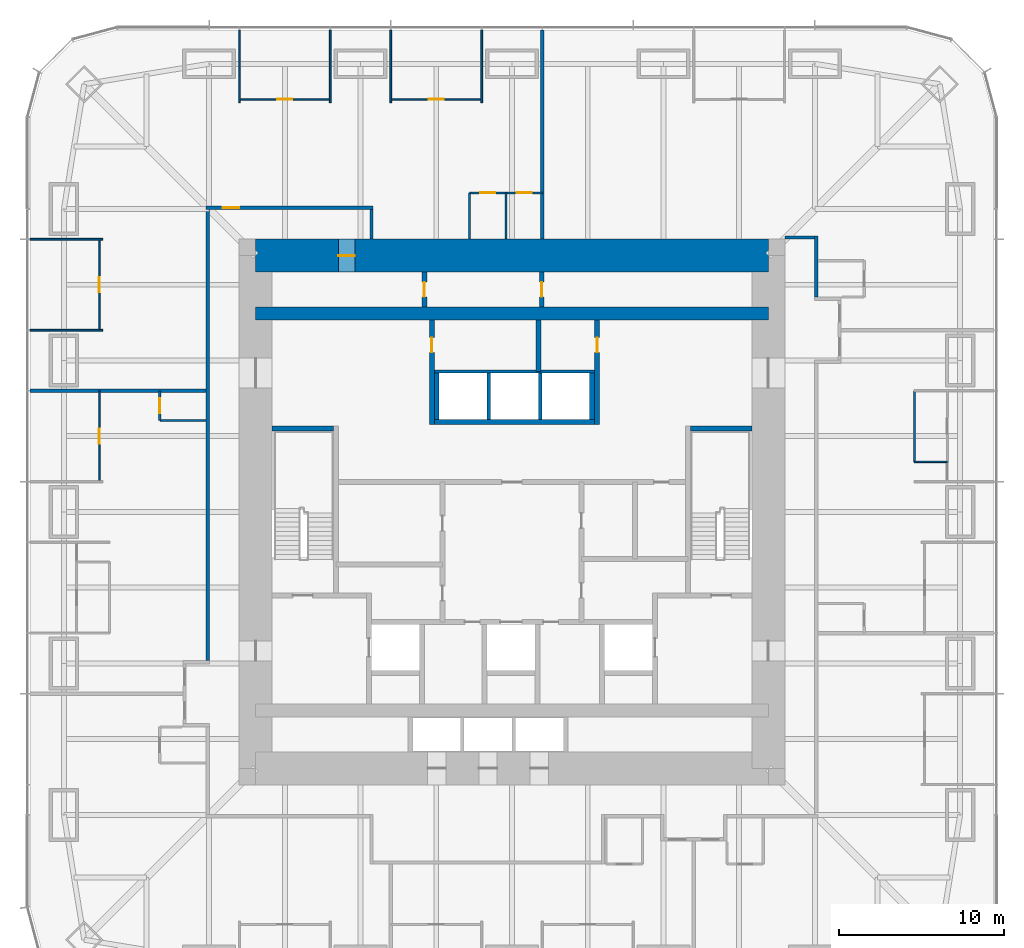
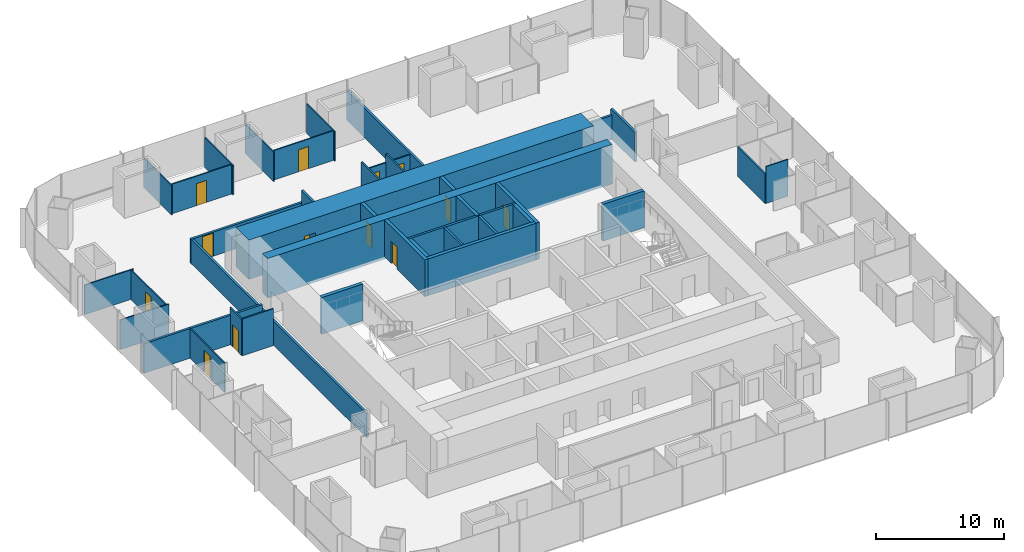
# One storey, part 11 of 13: 39 walls, 13 doors, 13 openings.
"""IFC4 building model written with IfcOpenShell, lengths in metres."""

from ifc_helpers import new_model, si_unit, direction, frame, frame_2d, origin, place, context, subcontext, project, spatial, rectangle, extrude, material, layer, layer_set, type_object, element, fill, save


model = new_model("IFC4")

# Units and contexts
model_context = context("Model", 3, precision=1e-05, world=origin(), true_north=direction((0.0, 1.0)))
body_context = subcontext(model_context, "Body", "Model", "MODEL_VIEW")
ifc_project = project(units=[si_unit("LENGTHUNIT", "METRE"), si_unit("AREAUNIT", "SQUARE_METRE"), si_unit("VOLUMEUNIT", "CUBIC_METRE"), si_unit("PLANEANGLEUNIT", "RADIAN"), si_unit("MASSUNIT", "GRAM", prefix="KILO")], contexts=[model_context])

# Site, building, storey
site_placement = place(None, origin())
site = spatial("IfcSite", under=ifc_project, at=site_placement, CompositionType="ELEMENT")
building_placement = place(site_placement, origin())
building = spatial("IfcBuilding", under=site, at=building_placement, Name="Khuree Lantern Residences", CompositionType="ELEMENT")
storey_placement = place(building_placement, frame((0.0, 0.0, 111.0)))
storey = spatial("IfcBuildingStorey", under=building, at=storey_placement, Name="L27", CompositionType="ELEMENT", Elevation=111.0)

# Wall
ifc_material_1 = material(Name="Moisture-resistant gypsum board on steel studs", Category="steel")
ifc_layer_1 = layer(ifc_material_1, 0.125)
ifc_layer_set_1 = layer_set([ifc_layer_1], Name="BATHROOM WALL BTW125")
wall_type_1 = type_object("IfcWallType", Name="BATHROOM WALL BTW125", PredefinedType="PARTITIONING", material=ifc_layer_set_1)
wall_1_placement = place(storey_placement, frame((24.329833984375, 3.031982421875, 0.0), z_axis=(0.0, 0.0, 1.0), x_axis=(0.0, 1.0, 0.0)))
element("IfcWall", 1, at=wall_1_placement, inside=storey, type_object=wall_type_1, Name="L27 BATHROOM WALL 01", PredefinedType="PARTITIONING", context=body_context, shape_type="SweptSolid", body=[
    extrude(rectangle(XDim=4.2958984375, YDim=0.125, at=frame_2d((2.14794921875, 0.0))), origin(), (0.0, 0.0, 1.0), 2.81005859375),
])

# Wall, openings, doors
wall_2_placement = place(storey_placement, frame((1.83203125, 19.300048828125, 0.0), z_axis=(0.0, 0.0, 1.0), x_axis=(-1.0, 0.0, 0.0)))
wall_2 = element("IfcWall", 2, at=wall_2_placement, inside=storey, type_object=wall_type_1, Name="L27 BATHROOM WALL 03", PredefinedType="PARTITIONING", context=body_context, shape_type="SweptSolid", body=[
    extrude(rectangle(XDim=4.400146484375, YDim=0.125, at=frame_2d((2.2001953125, 0.0))), origin(), (0.0, 0.0, 1.0), 2.699951171875),
])
opening_1_placement = place(wall_2_placement, frame((0.64990234375, 0.0, 0.0)))
opening_1 = element("IfcOpeningElement", 3, at=opening_1_placement, cuts=wall_2, Name="Opening 27-037", PredefinedType="OPENING", context=body_context, shape_type="SweptSolid", body=[
    extrude(rectangle(XDim=0.89990234375, YDim=2.10009765625, at=frame_2d((0.449951171875, 1.050048828125))), frame((0.0, 0.072509765625, 0.0), z_axis=(0.0, -1.0, 0.0), x_axis=(1.0, 0.0, 0.0)), (0.0, 0.0, 1.0), 0.14501953125),
])
opening_2_placement = place(wall_2_placement, frame((2.85009765625, 0.0, 0.0)))
opening_2 = element("IfcOpeningElement", 4, at=opening_2_placement, cuts=wall_2, Name="Opening 27-038", PredefinedType="OPENING", context=body_context, shape_type="SweptSolid", body=[
    extrude(rectangle(XDim=0.89990234375, YDim=2.10009765625, at=frame_2d((0.449951171875, 1.050048828125))), frame((0.0, 0.072509765625, 0.0), z_axis=(0.0, -1.0, 0.0), x_axis=(1.0, 0.0, 0.0)), (0.0, 0.0, 1.0), 0.14501953125),
])
ifc_material_2 = material(Name="Timber door leaf in hardwood frame", Category="wood")
door_type_1 = type_object("IfcDoorType", Name="BATHROOM DOOR 900X2100", OperationType="SINGLE_SWING_LEFT", PredefinedType="DOOR", material=ifc_material_2)
door_1_placement = place(opening_1_placement, origin())
door_1 = element("IfcDoor", 5, at=door_1_placement, inside=storey, type_object=door_type_1, Name="Bathroom door 27-037", OperationType="SINGLE_SWING_LEFT", OverallHeight=2.10009765625, OverallWidth=0.89990234375, PredefinedType="DOOR", context=body_context, shape_type="SweptSolid", body=[
    extrude(rectangle(XDim=0.89990234375, YDim=2.10009765625, at=frame_2d((0.449951171875, 1.050048828125))), frame((0.0, 0.02490234375, 0.0), z_axis=(0.0, -1.0, 0.0), x_axis=(1.0, 0.0, 0.0)), (0.0, 0.0, 1.0), 0.050048828125),
])
fill(opening_1, door_1)
door_2_placement = place(opening_2_placement, origin())
door_2 = element("IfcDoor", 6, at=door_2_placement, inside=storey, type_object=door_type_1, Name="Bathroom door 27-038", OperationType="SINGLE_SWING_LEFT", OverallHeight=2.10009765625, OverallWidth=0.89990234375, PredefinedType="DOOR", context=body_context, shape_type="SweptSolid", body=[
    extrude(rectangle(XDim=0.89990234375, YDim=2.10009765625, at=frame_2d((0.449951171875, 1.050048828125))), frame((0.0, 0.02490234375, 0.0), z_axis=(0.0, -1.0, 0.0), x_axis=(1.0, 0.0, 0.0)), (0.0, 0.0, 1.0), 0.050048828125),
])
fill(opening_2, door_2)

# Walls
for number, where, z_axis, x_axis, name in (
    (7, (-0.367919921875, 16.5, 0.0), (0.0, 0.0, 1.0), (0.0, 1.0, 0.0), "L27 BATHROOM WALL 03"),
    (8, (-2.568115234375, 16.5, 0.0), (0.0, 0.0, 1.0), (0.0, 1.0, 0.0), "L27 BATHROOM WALL 03"),
):
    element("IfcWall", number, at=place(storey_placement, frame(where, z_axis=z_axis, x_axis=x_axis)), inside=storey, type_object=wall_type_1, Name=name, PredefinedType="PARTITIONING", context=body_context, shape_type="SweptSolid", body=[
        extrude(rectangle(XDim=2.800048828125, YDim=0.125, at=frame_2d((1.39990234375, 0.0))), origin(), (0.0, 0.0, 1.0), 3.5),
    ])

# Wall, opening, door
wall_3_placement = place(storey_placement, frame((-21.300048828125, 7.327880859375, 0.0), z_axis=(0.0, 0.0, 1.0), x_axis=(0.0, -1.0, 0.0)))
wall_3 = element("IfcWall", 9, at=wall_3_placement, inside=storey, type_object=wall_type_1, Name="L27 BATHROOM WALL 04", PredefinedType="PARTITIONING", context=body_context, shape_type="SweptSolid", body=[
    extrude(rectangle(XDim=1.7998046875, YDim=0.125, at=frame_2d((0.89990234375, 0.0))), origin(), (0.0, 0.0, 1.0), 3.5),
])
opening_3_placement = place(wall_3_placement, frame((0.449951171875, 0.0, 0.0)))
opening_3 = element("IfcOpeningElement", 10, at=opening_3_placement, cuts=wall_3, Name="Opening 27-043", PredefinedType="OPENING", context=body_context, shape_type="SweptSolid", body=[
    extrude(rectangle(XDim=0.89990234375, YDim=2.10009765625, at=frame_2d((0.449951171875, 1.050048828125))), frame((0.0, 0.072509765625, 0.0), z_axis=(0.0, -1.0, 0.0), x_axis=(1.0, 0.0, 0.0)), (0.0, 0.0, 1.0), 0.14501953125),
])
door_3_placement = place(opening_3_placement, origin())
door_3 = element("IfcDoor", 11, at=door_3_placement, inside=storey, type_object=door_type_1, Name="Bathroom door 27-043", OperationType="SINGLE_SWING_LEFT", OverallHeight=2.10009765625, OverallWidth=0.89990234375, PredefinedType="DOOR", context=body_context, shape_type="SweptSolid", body=[
    extrude(rectangle(XDim=0.89990234375, YDim=2.10009765625, at=frame_2d((0.449951171875, 1.050048828125))), frame((0.0, 0.02490234375, 0.0), z_axis=(0.0, -1.0, 0.0), x_axis=(1.0, 0.0, 0.0)), (0.0, 0.0, 1.0), 0.050048828125),
])
fill(opening_3, door_3)

# Walls
wall_4_placement = place(storey_placement, frame((-18.5, 5.528076171875, 0.0), z_axis=(0.0, 0.0, 1.0), x_axis=(-1.0, 0.0, 0.0)))
element("IfcWall", 12, at=wall_4_placement, inside=storey, type_object=wall_type_1, Name="L27 BATHROOM WALL 04", PredefinedType="PARTITIONING", context=body_context, shape_type="SweptSolid", body=[
    extrude(rectangle(XDim=2.800048828125, YDim=0.125, at=frame_2d((1.39990234375, 0.0))), origin(), (0.0, 0.0, 1.0), 3.5),
])
ifc_material_3 = material(Name="Dense concrete blockwork", Category="masonry")
ifc_layer_2 = layer(ifc_material_3, 0.300048828125)
ifc_layer_set_2 = layer_set([ifc_layer_2], Name="CORE PARTITION WALL CPW300 EI 120")
wall_type_2 = type_object("IfcWallType", Name="CORE PARTITION WALL CPW300 EI 120", PredefinedType="PARTITIONING", material=ifc_layer_set_2)
wall_5_placement = place(storey_placement, frame((-4.699951171875, 5.449951171875, 0.0), z_axis=(0.0, 0.0, 1.0), x_axis=(1.0, 0.0, 0.0)))
element("IfcWall", 13, at=wall_5_placement, inside=storey, type_object=wall_type_2, Name="L27 CORE WALL PHS", PredefinedType="PARTITIONING", context=body_context, shape_type="SweptSolid", body=[
    extrude(rectangle(XDim=9.699951171875, YDim=0.300048828125, at=frame_2d((4.85009765625, 0.0))), origin(), (0.0, 0.0, 1.0), 3.5),
])
for number, where, z_axis, x_axis, name in (
    (14, (-4.550048828125, 5.60009765625, 0.0), (0.0, 0.0, 1.0), (0.0, 1.0, 0.0), "L27 CORE WALL PHW"),
    (15, (4.85009765625, 5.60009765625, 0.0), (0.0, 0.0, 1.0), (0.0, 1.0, 0.0), "L27 CORE WALL PHE"),
):
    element("IfcWall", number, at=place(storey_placement, frame(where, z_axis=z_axis, x_axis=x_axis)), inside=storey, type_object=wall_type_2, Name=name, PredefinedType="PARTITIONING", context=body_context, shape_type="SweptSolid", body=[
        extrude(rectangle(XDim=2.7998046875, YDim=0.300048828125, at=frame_2d((1.39990234375, 0.0))), origin(), (0.0, 0.0, 1.0), 3.5),
    ])

# Wall, opening, door
wall_6_placement = place(storey_placement, frame((-4.85009765625, 5.300048828125, 0.0), z_axis=(0.0, 0.0, 1.0), x_axis=(0.0, 1.0, 0.0)))
wall_6 = element("IfcWall", 16, at=wall_6_placement, inside=storey, type_object=wall_type_2, Name="L27 CORE WALL NW", PredefinedType="PARTITIONING", context=body_context, shape_type="SweptSolid", body=[
    extrude(rectangle(XDim=6.300048828125, YDim=0.300048828125, at=frame_2d((3.14990234375, 0.0))), origin(), (0.0, 0.0, 1.0), 3.5),
])
opening_4_placement = place(wall_6_placement, frame((4.35009765625, 0.0, 0.0)))
opening_4 = element("IfcOpeningElement", 17, at=opening_4_placement, cuts=wall_6, Name="Opening 27-021", PredefinedType="OPENING", context=body_context, shape_type="SweptSolid", body=[
    extrude(rectangle(XDim=0.89990234375, YDim=2.10009765625, at=frame_2d((0.449951171875, 1.050048828125))), frame((0.0, 0.16015625, 0.0), z_axis=(0.0, -1.0, 0.0), x_axis=(1.0, 0.0, 0.0)), (0.0, 0.0, 1.0), 0.320068359375),
])
door_type_2 = type_object("IfcDoorType", Name="DOOR 900X2100 RIGHT HAND", OperationType="SINGLE_SWING_RIGHT", PredefinedType="DOOR", material=ifc_material_2)
door_4_placement = place(opening_4_placement, origin())
door_4 = element("IfcDoor", 18, at=door_4_placement, inside=storey, type_object=door_type_2, Name="Parcel room door 27-021", OperationType="SINGLE_SWING_RIGHT", OverallHeight=2.10009765625, OverallWidth=0.89990234375, PredefinedType="DOOR", context=body_context, shape_type="SweptSolid", body=[
    extrude(rectangle(XDim=0.89990234375, YDim=2.10009765625, at=frame_2d((0.449951171875, 1.050048828125))), frame((0.0, 0.02490234375, 0.0), z_axis=(0.0, -1.0, 0.0), x_axis=(1.0, 0.0, 0.0)), (0.0, 0.0, 1.0), 0.050048828125),
])
fill(opening_4, door_4)

wall_7_placement = place(storey_placement, frame((5.14990234375, 5.300048828125, 0.0), z_axis=(0.0, 0.0, 1.0), x_axis=(0.0, 1.0, 0.0)))
wall_7 = element("IfcWall", 19, at=wall_7_placement, inside=storey, type_object=wall_type_2, Name="L27 CORE WALL NE", PredefinedType="PARTITIONING", context=body_context, shape_type="SweptSolid", body=[
    extrude(rectangle(XDim=6.300048828125, YDim=0.300048828125, at=frame_2d((3.14990234375, 0.0))), origin(), (0.0, 0.0, 1.0), 3.5),
])
opening_5_placement = place(wall_7_placement, frame((4.35009765625, 0.0, 0.0)))
opening_5 = element("IfcOpeningElement", 20, at=opening_5_placement, cuts=wall_7, Name="Opening 27-022", PredefinedType="OPENING", context=body_context, shape_type="SweptSolid", body=[
    extrude(rectangle(XDim=0.89990234375, YDim=2.10009765625, at=frame_2d((0.449951171875, 1.050048828125))), frame((0.0, 0.16015625, 0.0), z_axis=(0.0, -1.0, 0.0), x_axis=(1.0, 0.0, 0.0)), (0.0, 0.0, 1.0), 0.320068359375),
])
door_type_3 = type_object("IfcDoorType", Name="DOOR 900X2100", OperationType="SINGLE_SWING_LEFT", PredefinedType="DOOR", material=ifc_material_2)
door_5_placement = place(opening_5_placement, origin())
door_5 = element("IfcDoor", 21, at=door_5_placement, inside=storey, type_object=door_type_3, Name="IT room door 27-022", OperationType="SINGLE_SWING_LEFT", OverallHeight=2.10009765625, OverallWidth=0.89990234375, PredefinedType="DOOR", context=body_context, shape_type="SweptSolid", body=[
    extrude(rectangle(XDim=0.89990234375, YDim=2.10009765625, at=frame_2d((0.449951171875, 1.050048828125))), frame((0.0, 0.02490234375, 0.0), z_axis=(0.0, -1.0, 0.0), x_axis=(1.0, 0.0, 0.0)), (0.0, 0.0, 1.0), 0.050048828125),
])
fill(opening_5, door_5)

# Wall
wall_8_placement = place(storey_placement, frame((1.60009765625, 8.5, 0.0), z_axis=(0.0, 0.0, 1.0), x_axis=(0.0, 1.0, 0.0)))
element("IfcWall", 22, at=wall_8_placement, inside=storey, type_object=wall_type_2, Name="L27 CORE WALL NX", PredefinedType="PARTITIONING", context=body_context, shape_type="SweptSolid", body=[
    extrude(rectangle(XDim=3.10009765625, YDim=0.300048828125, at=frame_2d((1.550048828125, 0.0))), origin(), (0.0, 0.0, 1.0), 3.5),
])

# Wall, opening, door
wall_9_placement = place(storey_placement, frame((-5.300048828125, 12.39990234375, 0.0), z_axis=(0.0, 0.0, 1.0), x_axis=(0.0, 1.0, 0.0)))
wall_9 = element("IfcWall", 23, at=wall_9_placement, inside=storey, type_object=wall_type_2, Name="L27 CORE WALL PLX", PredefinedType="PARTITIONING", context=body_context, shape_type="SweptSolid", body=[
    extrude(rectangle(XDim=2.10009765625, YDim=0.300048828125, at=frame_2d((1.050048828125, 0.0))), origin(), (0.0, 0.0, 1.0), 3.5),
])
opening_6_placement = place(wall_9_placement, frame((0.60009765625, 0.0, 0.0)))
opening_6 = element("IfcOpeningElement", 24, at=opening_6_placement, cuts=wall_9, Name="Opening 27-023", PredefinedType="OPENING", context=body_context, shape_type="SweptSolid", body=[
    extrude(rectangle(XDim=0.89990234375, YDim=2.10009765625, at=frame_2d((0.449951171875, 1.050048828125))), frame((0.0, 0.16015625, 0.0), z_axis=(0.0, -1.0, 0.0), x_axis=(1.0, 0.0, 0.0)), (0.0, 0.0, 1.0), 0.320068359375),
])
door_6_placement = place(opening_6_placement, origin())
door_6 = element("IfcDoor", 25, at=door_6_placement, inside=storey, type_object=door_type_3, Name="Store door 27-023", OperationType="SINGLE_SWING_LEFT", OverallHeight=2.10009765625, OverallWidth=0.89990234375, PredefinedType="DOOR", context=body_context, shape_type="SweptSolid", body=[
    extrude(rectangle(XDim=0.89990234375, YDim=2.10009765625, at=frame_2d((0.449951171875, 1.050048828125))), frame((0.0, 0.02490234375, 0.0), z_axis=(0.0, -1.0, 0.0), x_axis=(1.0, 0.0, 0.0)), (0.0, 0.0, 1.0), 0.050048828125),
])
fill(opening_6, door_6)

wall_10_placement = place(storey_placement, frame((1.800048828125, 12.39990234375, 0.0), z_axis=(0.0, 0.0, 1.0), x_axis=(0.0, 1.0, 0.0)))
wall_10 = element("IfcWall", 26, at=wall_10_placement, inside=storey, type_object=wall_type_2, Name="L27 CORE WALL PLY", PredefinedType="PARTITIONING", context=body_context, shape_type="SweptSolid", body=[
    extrude(rectangle(XDim=2.10009765625, YDim=0.300048828125, at=frame_2d((1.050048828125, 0.0))), origin(), (0.0, 0.0, 1.0), 3.5),
])
opening_7_placement = place(wall_10_placement, frame((0.60009765625, 0.0, 0.0)))
opening_7 = element("IfcOpeningElement", 27, at=opening_7_placement, cuts=wall_10, Name="Opening 27-024", PredefinedType="OPENING", context=body_context, shape_type="SweptSolid", body=[
    extrude(rectangle(XDim=0.89990234375, YDim=2.10009765625, at=frame_2d((0.449951171875, 1.050048828125))), frame((0.0, 0.16015625, 0.0), z_axis=(0.0, -1.0, 0.0), x_axis=(1.0, 0.0, 0.0)), (0.0, 0.0, 1.0), 0.320068359375),
])
door_7_placement = place(opening_7_placement, origin())
door_7 = element("IfcDoor", 28, at=door_7_placement, inside=storey, type_object=door_type_3, Name="Maintenance store door 27-024", OperationType="SINGLE_SWING_LEFT", OverallHeight=2.10009765625, OverallWidth=0.89990234375, PredefinedType="DOOR", context=body_context, shape_type="SweptSolid", body=[
    extrude(rectangle(XDim=0.89990234375, YDim=2.10009765625, at=frame_2d((0.449951171875, 1.050048828125))), frame((0.0, 0.02490234375, 0.0), z_axis=(0.0, -1.0, 0.0), x_axis=(1.0, 0.0, 0.0)), (0.0, 0.0, 1.0), 0.050048828125),
])
fill(opening_7, door_7)

# Wall
ifc_material_4 = material(Name="Gypsum board on steel studs", Category="steel")
ifc_layer_3 = layer(ifc_material_4, 0.199951171875)
ifc_layer_set_3 = layer_set([ifc_layer_3], Name="CORRIDOR WALL CRW200 EI 60")
wall_type_3 = type_object("IfcWallType", Name="CORRIDOR WALL CRW200 EI 60", PredefinedType="PARTITIONING", material=ifc_layer_set_3)
wall_11_placement = place(storey_placement, frame((16.5, 16.60009765625, 0.0), z_axis=(0.0, 0.0, 1.0), x_axis=(1.0, 0.0, 0.0)))
element("IfcWall", 29, at=wall_11_placement, inside=storey, type_object=wall_type_3, Name="L27 EAST CORRIDOR NORTH END WALL", PredefinedType="PARTITIONING", context=body_context, shape_type="SweptSolid", body=[
    extrude(rectangle(XDim=1.800048828125, YDim=0.199951171875, at=frame_2d((0.89990234375, 0.0))), origin(), (0.0, 0.0, 1.0), 2.300048828125),
])

# Wall, opening, door
wall_12_placement = place(storey_placement, frame((-18.5, 18.39990234375, 0.0), z_axis=(0.0, 0.0, 1.0), x_axis=(1.0, 0.0, 0.0)))
wall_12 = element("IfcWall", 30, at=wall_12_placement, inside=storey, type_object=wall_type_3, Name="L27 CORRIDOR WALL NORTH", PredefinedType="PARTITIONING", context=body_context, shape_type="SweptSolid", body=[
    extrude(rectangle(XDim=10.10009765625, YDim=0.199951171875, at=frame_2d((5.050048828125, 0.0))), origin(), (0.0, 0.0, 1.0), 2.300048828125),
])
opening_8_placement = place(wall_12_placement, frame((1.0, 0.0, 0.0)))
opening_8 = element("IfcOpeningElement", 31, at=opening_8_placement, cuts=wall_12, Name="Opening 27-039", PredefinedType="OPENING", context=body_context, shape_type="SweptSolid", body=[
    extrude(rectangle(XDim=1.0, YDim=2.199951171875, at=frame_2d((0.5, 1.10009765625))), frame((0.0, 0.10986328125, 0.0), z_axis=(0.0, -1.0, 0.0), x_axis=(1.0, 0.0, 0.0)), (0.0, 0.0, 1.0), 0.219970703125),
])
door_type_4 = type_object("IfcDoorType", Name="APARTMENT ENTRANCE DOOR 1000X2200 EI 30S", OperationType="SINGLE_SWING_LEFT", PredefinedType="DOOR", material=ifc_material_2)
door_8_placement = place(opening_8_placement, origin())
door_8 = element("IfcDoor", 32, at=door_8_placement, inside=storey, type_object=door_type_4, Name="Apartment 03 entrance door 27-039", OperationType="SINGLE_SWING_LEFT", OverallHeight=2.199951171875, OverallWidth=1.0, PredefinedType="DOOR", context=body_context, shape_type="SweptSolid", body=[
    extrude(rectangle(XDim=1.0, YDim=2.199951171875, at=frame_2d((0.5, 1.10009765625))), frame((0.0, 0.02490234375, 0.0), z_axis=(0.0, -1.0, 0.0), x_axis=(1.0, 0.0, 0.0)), (0.0, 0.0, 1.0), 0.050048828125),
])
fill(opening_8, door_8)

# Walls
wall_13_placement = place(storey_placement, frame((-8.5, 18.300048828125, 0.0), z_axis=(0.0, 0.0, 1.0), x_axis=(0.0, -1.0, 0.0)))
element("IfcWall", 33, at=wall_13_placement, inside=storey, type_object=wall_type_3, Name="L27 NORTH CORRIDOR END WALL", PredefinedType="PARTITIONING", context=body_context, shape_type="SweptSolid", body=[
    extrude(rectangle(XDim=1.800048828125, YDim=0.199951171875, at=frame_2d((0.89990234375, 0.0))), origin(), (0.0, 0.0, 1.0), 3.5),
])
wall_14_placement = place(storey_placement, frame((18.39990234375, 12.991943359375, 0.0), z_axis=(0.0, 0.0, 1.0), x_axis=(0.0, 1.0, 0.0)))
element("IfcWall", 34, at=wall_14_placement, inside=storey, type_object=wall_type_3, Name="L27 CORRIDOR WALL EAST 2", PredefinedType="PARTITIONING", context=body_context, shape_type="SweptSolid", body=[
    extrude(rectangle(XDim=3.7080078125, YDim=0.199951171875, at=frame_2d((1.85400390625, 0.0))), origin(), (0.0, 0.0, 1.0), 2.81005859375),
])
wall_15_placement = place(storey_placement, frame((-18.39990234375, 18.300048828125, 0.0), z_axis=(0.0, 0.0, 1.0), x_axis=(0.0, -1.0, 0.0)))
element("IfcWall", 35, at=wall_15_placement, inside=storey, type_object=wall_type_3, Name="L27 CORRIDOR WALL WEST 1", PredefinedType="PARTITIONING", context=body_context, shape_type="SweptSolid", body=[
    extrude(rectangle(XDim=27.2919921875, YDim=0.199951171875, at=frame_2d((13.64599609375, 0.0))), origin(), (0.0, 0.0, 1.0), 2.300048828125),
])

# Wall, opening, door
ifc_material_5 = material(Name="Concrete C70/85", Category="concrete")
ifc_layer_4 = layer(ifc_material_5, 2.0)
ifc_layer_set_4 = layer_set([ifc_layer_4], Name="CW2000-C70 CORE WALL C70 2000")
wall_type_4 = type_object("IfcWallType", Name="CW2000-C70 CORE WALL C70 2000", PredefinedType="SHEAR", material=ifc_layer_set_4)
wall_16_placement = place(storey_placement, frame((-15.5, 15.5, -0.25), z_axis=(0.0, 0.0, 1.0), x_axis=(1.0, 0.0, 0.0)))
wall_16 = element("IfcWall", 36, at=wall_16_placement, inside=storey, type_object=wall_type_4, Name="Core wall N", PredefinedType="SHEAR", context=body_context, shape_type="SweptSolid", body=[
    extrude(rectangle(XDim=31.0, YDim=2.0, at=frame_2d((15.5, 0.0))), origin(), (0.0, 0.0, 1.0), 3.75),
])
opening_9_placement = place(wall_16_placement, frame((5.0, 0.0, 0.25)))
opening_9 = element("IfcOpeningElement", 37, at=opening_9_placement, cuts=wall_16, Name="Opening 27-025", PredefinedType="OPENING", context=body_context, shape_type="SweptSolid", body=[
    extrude(rectangle(XDim=1.0, YDim=2.10009765625, at=frame_2d((0.5, 1.050048828125))), frame((0.0, 1.010009765625, 0.0), z_axis=(0.0, -1.0, 0.0), x_axis=(1.0, 0.0, 0.0)), (0.0, 0.0, 1.0), 2.02001953125),
])
ifc_material_6 = material(Name="Steel door leaf in steel frame", Category="steel")
door_type_5 = type_object("IfcDoorType", Name="DOOR 1000X2100 EI 60 RIGHT HAND", OperationType="SINGLE_SWING_RIGHT", PredefinedType="DOOR", material=ifc_material_6)
door_9_placement = place(opening_9_placement, origin())
door_9 = element("IfcDoor", 38, at=door_9_placement, inside=storey, type_object=door_type_5, Name="Residents' store door 27-025", OperationType="SINGLE_SWING_RIGHT", OverallHeight=2.10009765625, OverallWidth=1.0, PredefinedType="DOOR", context=body_context, shape_type="SweptSolid", body=[
    extrude(rectangle(XDim=1.0, YDim=2.10009765625, at=frame_2d((0.5, 1.050048828125))), frame((0.0, 0.02490234375, 0.0), z_axis=(0.0, -1.0, 0.0), x_axis=(1.0, 0.0, 0.0)), (0.0, 0.0, 1.0), 0.050048828125),
])
fill(opening_9, door_9)

# Walls
ifc_layer_5 = layer(ifc_material_4, 0.199951171875)
ifc_layer_set_5 = layer_set([ifc_layer_5], Name="DEMISING WALL DMW200 EI 90")
wall_type_5 = type_object("IfcWallType", Name="DEMISING WALL DMW200 EI 90", PredefinedType="PARTITIONING", material=ifc_layer_set_5)
wall_17_placement = place(storey_placement, frame((1.83203125, 16.5, 0.0), z_axis=(0.0, 0.0, 1.0), x_axis=(0.0, 1.0, 0.0)))
element("IfcWall", 39, at=wall_17_placement, inside=storey, type_object=wall_type_5, Name="L27 DEMISING WALL 03", PredefinedType="PARTITIONING", context=body_context, shape_type="SweptSolid", body=[
    extrude(rectangle(XDim=12.64990234375, YDim=0.199951171875, at=frame_2d((6.324951171875, 0.0))), origin(), (0.0, 0.0, 1.0), 2.81005859375),
])
wall_18_placement = place(storey_placement, frame((-18.5, 7.327880859375, 0.0), z_axis=(0.0, 0.0, 1.0), x_axis=(-1.0, 0.0, 0.0)))
element("IfcWall", 40, at=wall_18_placement, inside=storey, type_object=wall_type_5, Name="L27 DEMISING WALL 04", PredefinedType="PARTITIONING", context=body_context, shape_type="SweptSolid", body=[
    extrude(rectangle(XDim=10.64990234375, YDim=0.199951171875, at=frame_2d((5.324951171875, 0.0))), origin(), (0.0, 0.0, 1.0), 2.81005859375),
])
ifc_layer_6 = layer(ifc_material_4, 0.10009765625)
ifc_layer_set_6 = layer_set([ifc_layer_6], Name="PARTITION PT100")
wall_type_6 = type_object("IfcWallType", Name="PARTITION PT100", PredefinedType="PARTITIONING", material=ifc_layer_set_6)
for number, where, z_axis, x_axis, name in (
    (41, (-1.83203125, 24.75, 0.0), (0.0, 0.0, 1.0), (0.0, 1.0, 0.0), "L27 PARTITION 03"),
    (42, (-7.327880859375, 24.75, 0.0), (0.0, 0.0, 1.0), (0.0, 1.0, 0.0), "L27 PARTITION 03"),
    (43, (-10.991943359375, 24.75, 0.0), (0.0, 0.0, 1.0), (0.0, 1.0, 0.0), "L27 PARTITION 03"),
    (44, (-16.488037109375, 24.75, 0.0), (0.0, 0.0, 1.0), (0.0, 1.0, 0.0), "L27 PARTITION 03"),
    (45, (-24.75, 16.488037109375, 0.0), (0.0, 0.0, 1.0), (-1.0, 0.0, 0.0), "L27 PARTITION 03"),
    (46, (-24.75, 10.991943359375, 0.0), (0.0, 0.0, 1.0), (-1.0, 0.0, 0.0), "L27 PARTITION 03"),
):
    element("IfcWall", number, at=place(storey_placement, frame(where, z_axis=z_axis, x_axis=x_axis)), inside=storey, type_object=wall_type_6, Name=name, PredefinedType="PARTITIONING", context=body_context, shape_type="SweptSolid", body=[
        extrude(rectangle(XDim=4.39990234375, YDim=0.10009765625, at=frame_2d((2.199951171875, 0.0))), origin(), (0.0, 0.0, 1.0), 2.81005859375),
    ])
wall_19_placement = place(storey_placement, frame((24.329833984375, 3.031982421875, 0.0), z_axis=(0.0, 0.0, 1.0), x_axis=(1.0, 0.0, 0.0)))
element("IfcWall", 47, at=wall_19_placement, inside=storey, type_object=wall_type_6, Name="L27 PARTITION 01", PredefinedType="PARTITIONING", context=body_context, shape_type="SweptSolid", body=[
    extrude(rectangle(XDim=2.0, YDim=0.10009765625, at=frame_2d((1.0, 0.0))), origin(), (0.0, 0.0, 1.0), 3.5),
])

# Wall, opening, door
wall_20_placement = place(storey_placement, frame((-1.83203125, 24.949951171875, 0.0), z_axis=(0.0, 0.0, 1.0), x_axis=(-1.0, 0.0, 0.0)))
wall_20 = element("IfcWall", 48, at=wall_20_placement, inside=storey, type_object=wall_type_6, Name="L27 PARTITION 03", PredefinedType="PARTITIONING", context=body_context, shape_type="SweptSolid", body=[
    extrude(rectangle(XDim=5.495849609375, YDim=0.10009765625, at=frame_2d((2.748046875, 0.0))), origin(), (0.0, 0.0, 1.0), 2.81005859375),
])
opening_10_placement = place(wall_20_placement, frame((2.298095703125, 0.0, 0.0)))
opening_10 = element("IfcOpeningElement", 49, at=opening_10_placement, cuts=wall_20, Name="Opening 27-034", PredefinedType="OPENING", context=body_context, shape_type="SweptSolid", body=[
    extrude(rectangle(XDim=0.89990234375, YDim=2.10009765625, at=frame_2d((0.449951171875, 1.050048828125))), frame((0.0, 0.06005859375, 0.0), z_axis=(0.0, -1.0, 0.0), x_axis=(1.0, 0.0, 0.0)), (0.0, 0.0, 1.0), 0.1201171875),
])
door_type_6 = type_object("IfcDoorType", Name="BEDROOM DOOR 900X2100", OperationType="SINGLE_SWING_LEFT", PredefinedType="DOOR", material=ifc_material_2)
door_10_placement = place(opening_10_placement, origin())
door_10 = element("IfcDoor", 50, at=door_10_placement, inside=storey, type_object=door_type_6, Name="Bedroom door 27-034", OperationType="SINGLE_SWING_LEFT", OverallHeight=2.10009765625, OverallWidth=0.89990234375, PredefinedType="DOOR", context=body_context, shape_type="SweptSolid", body=[
    extrude(rectangle(XDim=0.89990234375, YDim=2.10009765625, at=frame_2d((0.449951171875, 1.050048828125))), frame((0.0, 0.02490234375, 0.0), z_axis=(0.0, -1.0, 0.0), x_axis=(1.0, 0.0, 0.0)), (0.0, 0.0, 1.0), 0.050048828125),
])
fill(opening_10, door_10)

wall_21_placement = place(storey_placement, frame((-10.991943359375, 24.949951171875, 0.0), z_axis=(0.0, 0.0, 1.0), x_axis=(-1.0, 0.0, 0.0)))
wall_21 = element("IfcWall", 51, at=wall_21_placement, inside=storey, type_object=wall_type_6, Name="L27 PARTITION 03", PredefinedType="PARTITIONING", context=body_context, shape_type="SweptSolid", body=[
    extrude(rectangle(XDim=5.49609375, YDim=0.10009765625, at=frame_2d((2.748046875, 0.0))), origin(), (0.0, 0.0, 1.0), 2.81005859375),
])
opening_11_placement = place(wall_21_placement, frame((2.298095703125, 0.0, 0.0)))
opening_11 = element("IfcOpeningElement", 52, at=opening_11_placement, cuts=wall_21, Name="Opening 27-035", PredefinedType="OPENING", context=body_context, shape_type="SweptSolid", body=[
    extrude(rectangle(XDim=0.89990234375, YDim=2.10009765625, at=frame_2d((0.449951171875, 1.050048828125))), frame((0.0, 0.06005859375, 0.0), z_axis=(0.0, -1.0, 0.0), x_axis=(1.0, 0.0, 0.0)), (0.0, 0.0, 1.0), 0.1201171875),
])
door_11_placement = place(opening_11_placement, origin())
door_11 = element("IfcDoor", 53, at=door_11_placement, inside=storey, type_object=door_type_6, Name="Bedroom door 27-035", OperationType="SINGLE_SWING_LEFT", OverallHeight=2.10009765625, OverallWidth=0.89990234375, PredefinedType="DOOR", context=body_context, shape_type="SweptSolid", body=[
    extrude(rectangle(XDim=0.89990234375, YDim=2.10009765625, at=frame_2d((0.449951171875, 1.050048828125))), frame((0.0, 0.02490234375, 0.0), z_axis=(0.0, -1.0, 0.0), x_axis=(1.0, 0.0, 0.0)), (0.0, 0.0, 1.0), 0.050048828125),
])
fill(opening_11, door_11)

wall_22_placement = place(storey_placement, frame((-24.949951171875, 16.488037109375, 0.0), z_axis=(0.0, 0.0, 1.0), x_axis=(0.0, -1.0, 0.0)))
wall_22 = element("IfcWall", 54, at=wall_22_placement, inside=storey, type_object=wall_type_6, Name="L27 PARTITION 03", PredefinedType="PARTITIONING", context=body_context, shape_type="SweptSolid", body=[
    extrude(rectangle(XDim=5.49609375, YDim=0.10009765625, at=frame_2d((2.748046875, 0.0))), origin(), (0.0, 0.0, 1.0), 2.81005859375),
])
opening_12_placement = place(wall_22_placement, frame((2.298095703125, 0.0, 0.0)))
opening_12 = element("IfcOpeningElement", 55, at=opening_12_placement, cuts=wall_22, Name="Opening 27-036", PredefinedType="OPENING", context=body_context, shape_type="SweptSolid", body=[
    extrude(rectangle(XDim=0.89990234375, YDim=2.10009765625, at=frame_2d((0.449951171875, 1.050048828125))), frame((0.0, 0.06005859375, 0.0), z_axis=(0.0, -1.0, 0.0), x_axis=(1.0, 0.0, 0.0)), (0.0, 0.0, 1.0), 0.1201171875),
])
door_12_placement = place(opening_12_placement, origin())
door_12 = element("IfcDoor", 56, at=door_12_placement, inside=storey, type_object=door_type_6, Name="Bedroom door 27-036", OperationType="SINGLE_SWING_LEFT", OverallHeight=2.10009765625, OverallWidth=0.89990234375, PredefinedType="DOOR", context=body_context, shape_type="SweptSolid", body=[
    extrude(rectangle(XDim=0.89990234375, YDim=2.10009765625, at=frame_2d((0.449951171875, 1.050048828125))), frame((0.0, 0.02490234375, 0.0), z_axis=(0.0, -1.0, 0.0), x_axis=(1.0, 0.0, 0.0)), (0.0, 0.0, 1.0), 0.050048828125),
])
fill(opening_12, door_12)

wall_23_placement = place(storey_placement, frame((-24.949951171875, 7.327880859375, 0.0), z_axis=(0.0, 0.0, 1.0), x_axis=(0.0, -1.0, 0.0)))
wall_23 = element("IfcWall", 57, at=wall_23_placement, inside=storey, type_object=wall_type_6, Name="L27 PARTITION 04", PredefinedType="PARTITIONING", context=body_context, shape_type="SweptSolid", body=[
    extrude(rectangle(XDim=5.495849609375, YDim=0.10009765625, at=frame_2d((2.748046875, 0.0))), origin(), (0.0, 0.0, 1.0), 2.81005859375),
])
opening_13_placement = place(wall_23_placement, frame((2.298095703125, 0.0, 0.0)))
opening_13 = element("IfcOpeningElement", 58, at=opening_13_placement, cuts=wall_23, Name="Opening 27-040", PredefinedType="OPENING", context=body_context, shape_type="SweptSolid", body=[
    extrude(rectangle(XDim=0.89990234375, YDim=2.10009765625, at=frame_2d((0.449951171875, 1.050048828125))), frame((0.0, 0.06005859375, 0.0), z_axis=(0.0, -1.0, 0.0), x_axis=(1.0, 0.0, 0.0)), (0.0, 0.0, 1.0), 0.1201171875),
])
door_13_placement = place(opening_13_placement, origin())
door_13 = element("IfcDoor", 59, at=door_13_placement, inside=storey, type_object=door_type_6, Name="Bedroom door 27-040", OperationType="SINGLE_SWING_LEFT", OverallHeight=2.10009765625, OverallWidth=0.89990234375, PredefinedType="DOOR", context=body_context, shape_type="SweptSolid", body=[
    extrude(rectangle(XDim=0.89990234375, YDim=2.10009765625, at=frame_2d((0.449951171875, 1.050048828125))), frame((0.0, 0.02490234375, 0.0), z_axis=(0.0, -1.0, 0.0), x_axis=(1.0, 0.0, 0.0)), (0.0, 0.0, 1.0), 0.050048828125),
])
fill(opening_13, door_13)

# Walls
ifc_layer_7 = layer(ifc_material_3, 0.199951171875)
ifc_layer_set_7 = layer_set([ifc_layer_7], Name="SHAFT WALL SHW200 EI 120")
wall_type_7 = type_object("IfcWallType", Name="SHAFT WALL SHW200 EI 120", PredefinedType="PARTITIONING", material=ifc_layer_set_7)
wall_24_placement = place(storey_placement, frame((-4.699951171875, 8.5, 0.0), z_axis=(0.0, 0.0, 1.0), x_axis=(1.0, 0.0, 0.0)))
element("IfcWall", 60, at=wall_24_placement, inside=storey, type_object=wall_type_7, Name="L27 CORE WALL PHN", PredefinedType="PARTITIONING", context=body_context, shape_type="SweptSolid", body=[
    extrude(rectangle(XDim=9.699951171875, YDim=0.199951171875, at=frame_2d((4.85009765625, 0.0))), origin(), (0.0, 0.0, 1.0), 3.5),
])
for number, where, z_axis, x_axis, name in (
    (61, (-1.39990234375, 5.60009765625, 0.0), (0.0, 0.0, 1.0), (0.0, 1.0, 0.0), "L27 CORE WALL PHD1"),
    (62, (1.699951171875, 5.60009765625, 0.0), (0.0, 0.0, 1.0), (0.0, 1.0, 0.0), "L27 CORE WALL PHD2"),
):
    element("IfcWall", number, at=place(storey_placement, frame(where, z_axis=z_axis, x_axis=x_axis)), inside=storey, type_object=wall_type_7, Name=name, PredefinedType="PARTITIONING", context=body_context, shape_type="SweptSolid", body=[
        extrude(rectangle(XDim=2.7998046875, YDim=0.199951171875, at=frame_2d((1.39990234375, 0.0))), origin(), (0.0, 0.0, 1.0), 3.5),
    ])
ifc_layer_8 = layer(ifc_material_5, 0.800048828125)
ifc_layer_set_8 = layer_set([ifc_layer_8], Name="SP800-C70 CORE SPINE WALL C70 800")
wall_type_8 = type_object("IfcWallType", Name="SP800-C70 CORE SPINE WALL C70 800", PredefinedType="SHEAR", material=ifc_layer_set_8)
wall_25_placement = place(storey_placement, frame((-15.5, 12.0, -0.25), z_axis=(0.0, 0.0, 1.0), x_axis=(1.0, 0.0, 0.0)))
element("IfcWall", 63, at=wall_25_placement, inside=storey, type_object=wall_type_8, Name="Core wall SPN", PredefinedType="SHEAR", context=body_context, shape_type="SweptSolid", body=[
    extrude(rectangle(XDim=31.0, YDim=0.800048828125, at=frame_2d((15.5, 0.0))), origin(), (0.0, 0.0, 1.0), 3.75),
])
ifc_material_7 = material(Name="Concrete C50/60", Category="concrete")
ifc_layer_9 = layer(ifc_material_7, 0.300048828125)
ifc_layer_set_9 = layer_set([ifc_layer_9], Name="STAIR WALL SRW300 C50/60 REI 240")
wall_type_9 = type_object("IfcWallType", Name="STAIR WALL SRW300 C50/60 REI 240", PredefinedType="SOLIDWALL", material=ifc_layer_set_9)
for number, where, z_axis, x_axis, name in (
    (64, (-14.5, 5.050048828125, 0.0), (0.0, 0.0, 1.0), (1.0, 0.0, 0.0), "L27 STAIR WALL ST1N"),
    (65, (14.5, 5.050048828125, 0.0), (0.0, 0.0, 1.0), (-1.0, 0.0, 0.0), "L27 STAIR WALL ST2N"),
):
    element("IfcWall", number, at=place(storey_placement, frame(where, z_axis=z_axis, x_axis=x_axis)), inside=storey, type_object=wall_type_9, Name=name, PredefinedType="SOLIDWALL", context=body_context, shape_type="SweptSolid", body=[
        extrude(rectangle(XDim=3.699951171875, YDim=0.300048828125, at=frame_2d((1.85009765625, 0.0))), origin(), (0.0, 0.0, 1.0), 3.5),
    ])

save(model, "model.ifc")
